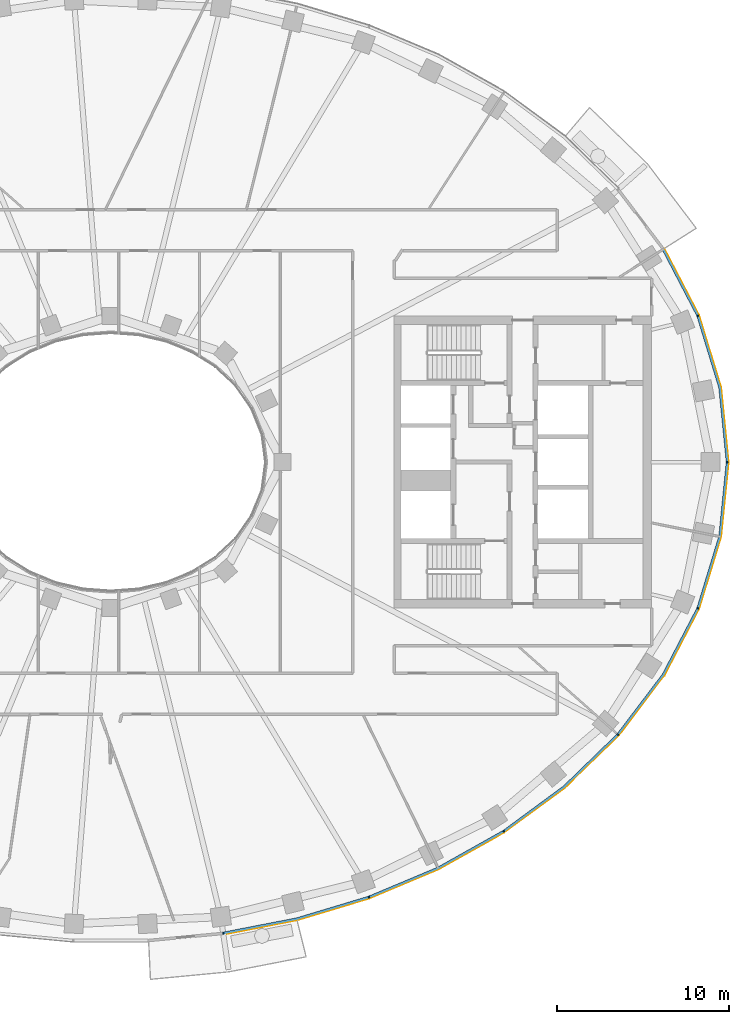
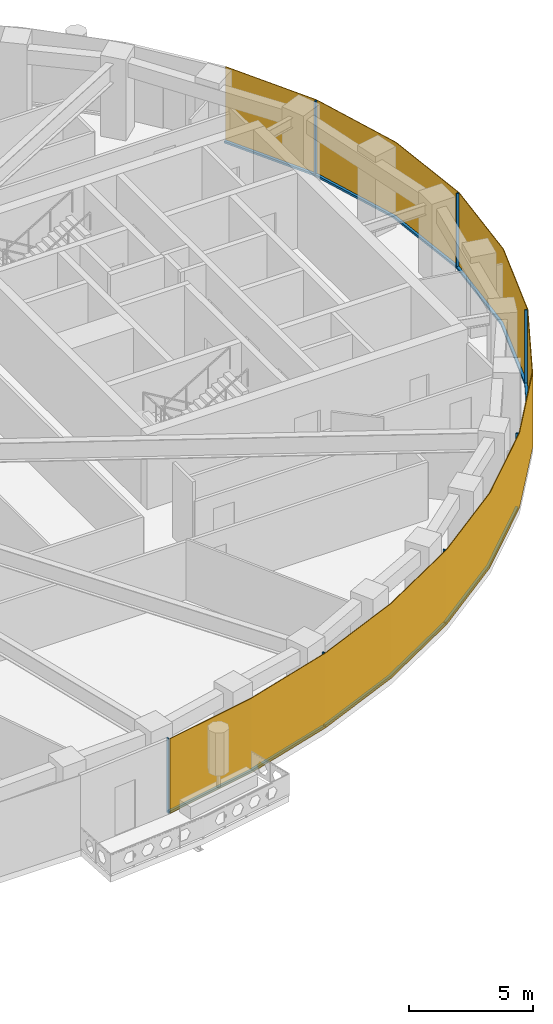
# One storey, part 10 of 16: 14 members, 1 curtain wall.
"""IFC4 building model written with IfcOpenShell, lengths in metres."""

from ifc_helpers import new_model, si_unit, direction, frame, origin, origin_2d, place, context, subcontext, project, spatial, polyline, rectangle, outline, extrude, material, layer, layer_set, material_profile, profile_set, type_object, element, aggregate, save


model = new_model("IFC4")

# Units and contexts
model_context = context("Model", 3, precision=1e-05, world=origin(), true_north=direction((0.0, 1.0)))
body_context = subcontext(model_context, "Body", "Model", "MODEL_VIEW")
ifc_project = project(units=[si_unit("LENGTHUNIT", "METRE"), si_unit("AREAUNIT", "SQUARE_METRE"), si_unit("VOLUMEUNIT", "CUBIC_METRE"), si_unit("PLANEANGLEUNIT", "RADIAN"), si_unit("MASSUNIT", "GRAM", prefix="KILO")], contexts=[model_context])

# Member
ifc_material_1 = material(Name="Aluminium 6063-T6 black anodised", Category="aluminium")
ifc_material_profile = material_profile(ifc_material_1, rectangle(XDim=0.1201171875, YDim=0.06005859375, at=origin_2d()), Name="120x60")
ifc_profile_set = profile_set([ifc_material_profile], Name="Aluminium 6063-T6 black anodised")
member_type_1 = type_object("IfcMemberType", Name="ENV-MULLION-A-120", PredefinedType="MULLION", material=ifc_profile_set)
site_placement = place(None, origin())
building_placement = place(site_placement, origin())
storey_placement = place(building_placement, frame((0.0, 0.0, 245.5)))
member_1_placement = place(storey_placement, frame((6.54638671875, -27.440185546875, 0.0), z_axis=(0.0, 0.0, 1.0), x_axis=(-0.143082012705, 0.989710835366, 0.0)))
member_1 = element("IfcMember", 1, at=member_1_placement, type_object=member_type_1, Name="Mullion A radial 37", PredefinedType="MULLION", context=body_context, shape_type="SweptSolid", body=[
    extrude(rectangle(XDim=0.1201171875, YDim=0.06005859375, at=origin_2d()), origin(), (0.0, 0.0, 1.0), 3.699951171875),
])

member_2_placement = place(storey_placement, frame((15.0341796875, -25.34375, 0.0), z_axis=(0.0, 0.0, 1.0), x_axis=(-0.338379256581, 0.941009818608, 0.0)))
member_2 = element("IfcMember", 2, at=member_2_placement, type_object=member_type_1, Name="Mullion A radial 39", PredefinedType="MULLION", context=body_context, shape_type="SweptSolid", body=[
    extrude(rectangle(XDim=0.1201171875, YDim=0.06005859375, at=origin_2d()), origin(), (0.0, 0.0, 1.0), 3.699951171875),
])

member_3_placement = place(storey_placement, frame((22.882568359375, -21.506591796875, 0.0), z_axis=(0.0, 0.0, 1.0), x_axis=(-0.542279153225, 0.840198381323, 0.0)))
member_3 = element("IfcMember", 3, at=member_3_placement, type_object=member_type_1, Name="Mullion A radial 41", PredefinedType="MULLION", context=body_context, shape_type="SweptSolid", body=[
    extrude(rectangle(XDim=0.1201171875, YDim=0.06005859375, at=origin_2d()), origin(), (0.0, 0.0, 1.0), 3.699951171875),
])

member_4_placement = place(storey_placement, frame((29.53857421875, -15.8671875, 0.0), z_axis=(0.0, 0.0, 1.0), x_axis=(-0.749047221705, 0.662516610853, 0.0)))
member_4 = element("IfcMember", 4, at=member_4_placement, type_object=member_type_1, Name="Mullion A radial 43", PredefinedType="MULLION", context=body_context, shape_type="SweptSolid", body=[
    extrude(rectangle(XDim=0.1201171875, YDim=0.06005859375, at=origin_2d()), origin(), (0.0, 0.0, 1.0), 3.699951171875),
])

member_5_placement = place(storey_placement, frame((34.19580078125, -8.513916015625, 0.0), z_axis=(0.0, 0.0, 1.0), x_axis=(-0.92546738067, 0.378827305398, 0.0)))
member_5 = element("IfcMember", 5, at=member_5_placement, type_object=member_type_1, Name="Mullion A radial 45", PredefinedType="MULLION", context=body_context, shape_type="SweptSolid", body=[
    extrude(rectangle(XDim=0.1201171875, YDim=0.06005859375, at=origin_2d()), origin(), (0.0, 0.0, 1.0), 3.699951171875),
])

member_6_placement = place(storey_placement, frame((35.907958984375, 0.0, 0.0), z_axis=(0.0, 0.0, 1.0), x_axis=(-1.0, 0.0, 0.0)))
member_6 = element("IfcMember", 6, at=member_6_placement, type_object=member_type_1, Name="Mullion A radial 01", PredefinedType="MULLION", context=body_context, shape_type="SweptSolid", body=[
    extrude(rectangle(XDim=0.1201171875, YDim=0.06005859375, at=origin_2d()), origin(), (0.0, 0.0, 1.0), 3.699951171875),
])

member_7_placement = place(storey_placement, frame((34.19580078125, 8.513916015625, 0.0), z_axis=(0.0, 0.0, 1.0), x_axis=(-0.92546738067, -0.378827305398, 0.0)))
member_7 = element("IfcMember", 7, at=member_7_placement, type_object=member_type_1, Name="Mullion A radial 03", PredefinedType="MULLION", context=body_context, shape_type="SweptSolid", body=[
    extrude(rectangle(XDim=0.1201171875, YDim=0.06005859375, at=origin_2d()), origin(), (0.0, 0.0, 1.0), 3.699951171875),
])

ifc_material_2 = material(Name="Aluminium 6063-T6 black anodised", Category="aluminium")
member_type_2 = type_object("IfcMemberType", Name="ENV-TRANSOM-A", PredefinedType="USERDEFINED", material=ifc_material_2)
member_8_placement = place(storey_placement, origin())
member_8 = element("IfcMember", 8, at=member_8_placement, type_object=member_type_2, Name="Transom A radial 37-39", ObjectType="TRANSOM", PredefinedType="USERDEFINED", context=body_context, shape_type="SweptSolid", body=[
    extrude(outline(polyline([(6.58251953125, -27.494140625), (10.857666015625, -26.6630859375), (15.027587890625, -25.408203125), (14.987060546875, -25.295166015625), (10.828857421875, -26.54638671875), (6.5654296875, -27.375244140625), (6.58251953125, -27.494140625)])), origin(), (0.0, 0.0, 1.0), 0.10009765625),
])

member_9_placement = place(storey_placement, origin())
member_9 = element("IfcMember", 9, at=member_9_placement, type_object=member_type_2, Name="Transom A radial 39-41", ObjectType="TRANSOM", PredefinedType="USERDEFINED", context=body_context, shape_type="SweptSolid", body=[
    extrude(outline(polyline([(15.080322265625, -25.389404296875), (19.093994140625, -23.701416015625), (22.890625, -21.570556640625), (22.825439453125, -21.469482421875), (19.041259765625, -23.593505859375), (15.03955078125, -25.276123046875), (15.080322265625, -25.389404296875)])), origin(), (0.0, 0.0, 1.0), 0.10009765625),
])

member_10_placement = place(storey_placement, origin())
member_10 = element("IfcMember", 10, at=member_10_placement, type_object=member_type_2, Name="Transom A radial 41-43", ObjectType="TRANSOM", PredefinedType="USERDEFINED", context=body_context, shape_type="SweptSolid", body=[
    extrude(outline(polyline([(22.937744140625, -21.540283203125), (26.4423828125, -18.958740234375), (29.5634765625, -15.926513671875), (29.473388671875, -15.8466796875), (26.364501953125, -18.866943359375), (22.87255859375, -21.439208984375), (22.937744140625, -21.540283203125)])), origin(), (0.0, 0.0, 1.0), 0.10009765625),
])

member_11_placement = place(storey_placement, origin())
member_11 = element("IfcMember", 11, at=member_11_placement, type_object=member_type_2, Name="Transom A radial 43-45", ObjectType="TRANSOM", PredefinedType="USERDEFINED", context=body_context, shape_type="SweptSolid", body=[
    extrude(outline(polyline([(29.6005859375, -15.884521484375), (32.22802734375, -12.41748046875), (34.23828125, -8.5615234375), (34.126708984375, -8.515869140625), (32.126220703125, -12.35302734375), (29.51025390625, -15.8046875), (29.6005859375, -15.884521484375)])), origin(), (0.0, 0.0, 1.0), 0.10009765625),
])

member_12_placement = place(storey_placement, origin())
member_12 = element("IfcMember", 12, at=member_12_placement, type_object=member_type_2, Name="Transom A radial 45-01", ObjectType="TRANSOM", PredefinedType="USERDEFINED", context=body_context, shape_type="SweptSolid", body=[
    extrude(outline(polyline([(34.259521484375, -8.509765625), (35.529541015625, -4.352294921875), (35.965087890625, -0.02783203125), (35.844482421875, -0.02783203125), (35.411376953125, -4.32861328125), (34.14794921875, -8.464111328125), (34.259521484375, -8.509765625)])), origin(), (0.0, 0.0, 1.0), 0.10009765625),
])

member_13_placement = place(storey_placement, origin())
member_13 = element("IfcMember", 13, at=member_13_placement, type_object=member_type_2, Name="Transom A radial 01-03", ObjectType="TRANSOM", PredefinedType="USERDEFINED", context=body_context, shape_type="SweptSolid", body=[
    extrude(outline(polyline([(35.965087890625, 0.02783203125), (35.529541015625, 4.352294921875), (34.259521484375, 8.509765625), (34.14794921875, 8.464111328125), (35.411376953125, 4.32861328125), (35.844482421875, 0.02783203125), (35.965087890625, 0.02783203125)])), origin(), (0.0, 0.0, 1.0), 0.10009765625),
])

member_14_placement = place(storey_placement, origin())
member_14 = element("IfcMember", 14, at=member_14_placement, type_object=member_type_2, Name="Transom A radial 03-04", ObjectType="TRANSOM", PredefinedType="USERDEFINED", context=body_context, shape_type="SweptSolid", body=[
    extrude(outline(polyline([(34.23828125, 8.5615234375), (32.2373046875, 12.39990234375), (32.135498046875, 12.33544921875), (34.126708984375, 8.515869140625), (34.23828125, 8.5615234375)])), origin(), (0.0, 0.0, 1.0), 0.10009765625),
])

# Site, building, storey
site = spatial("IfcSite", under=ifc_project, at=site_placement, CompositionType="ELEMENT")
building = spatial("IfcBuilding", under=site, at=building_placement, Name="Noorbagh Ring Tower", CompositionType="ELEMENT")
storey = spatial("IfcBuildingStorey", under=building, at=storey_placement, Name="L51", CompositionType="ELEMENT", Elevation=245.5)

# Curtain wall
ifc_material_3 = material(Name="Glass dark tinted laminated", Category="glass")
ifc_layer = layer(ifc_material_3, 0.031982421875)
ifc_layer_set = layer_set([ifc_layer], Name="Glass dark tinted laminated")
curtain_wall_type = type_object("IfcCurtainWallType", Name="ENV-CW-A", PredefinedType="NOTDEFINED", material=ifc_layer_set)
curtain_wall_placement = place(storey_placement, origin())
curtain_wall = element("IfcCurtainWall", 15, at=curtain_wall_placement, inside=storey, type_object=curtain_wall_type, Name="Curtain wall A R37", PredefinedType="NOTDEFINED", context=body_context, shape_type="SweptSolid", body=[
    extrude(outline(polyline([(6.579345703125, -27.52734375), (10.865234375, -26.6943359375), (15.065185546875, -25.430419921875), (19.108154296875, -23.730224609375), (22.9326171875, -21.583740234375), (26.463134765625, -18.9833984375), (29.607666015625, -15.927978515625), (32.255126953125, -12.434814453125), (34.281005859375, -8.548828125), (35.561279296875, -4.358642578125), (36.0, 0.0), (35.561279296875, 4.358642578125), (34.281005859375, 8.548828125), (32.264404296875, 12.4169921875), (32.2373046875, 12.39990234375), (34.251220703125, 8.53662109375), (35.529541015625, 4.352294921875), (35.9677734375, 0.0), (35.529541015625, -4.352294921875), (34.251220703125, -8.53662109375), (32.22802734375, -12.41748046875), (29.58349609375, -15.906982421875), (26.4423828125, -18.958740234375), (22.9150390625, -21.556884765625), (19.093994140625, -23.701416015625), (15.054443359375, -25.400146484375), (10.857666015625, -26.6630859375), (6.57470703125, -27.49560546875), (6.579345703125, -27.52734375)])), origin(), (0.0, 0.0, 1.0), 3.699951171875),
])

aggregate(curtain_wall, [member_1, member_2, member_3, member_4, member_5, member_6, member_7, member_8, member_9, member_10, member_11, member_12, member_13, member_14])

save(model, "model.ifc")
